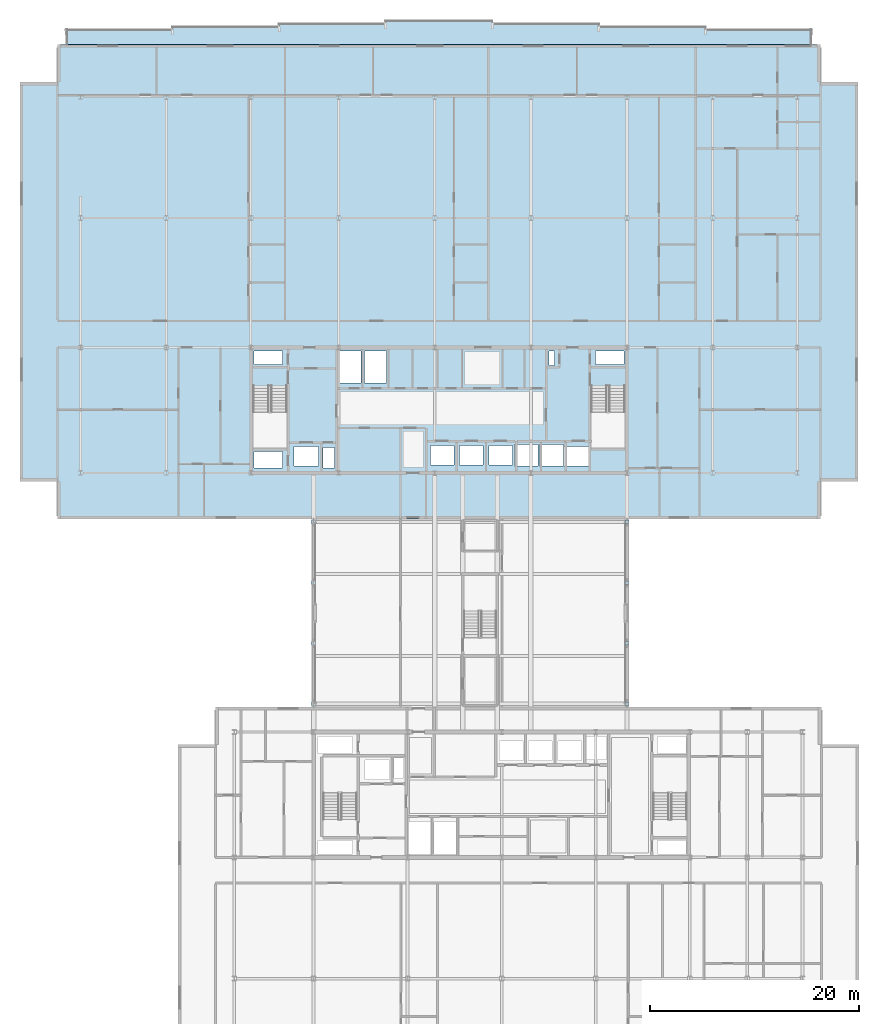
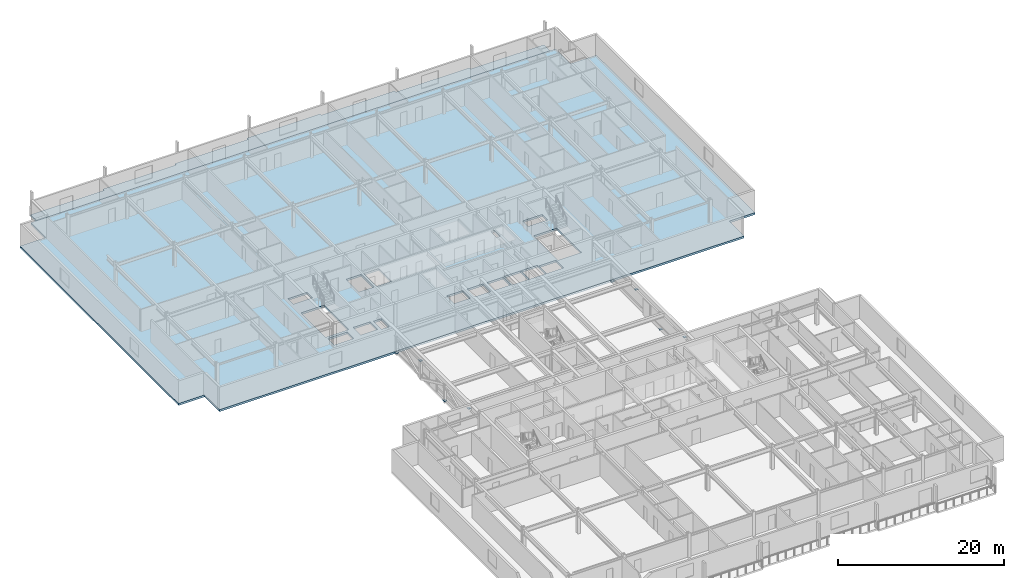
# One storey, part 16 of 35: 8 plates, 2 slabs.
"""IFC4 building model written with IfcOpenShell, lengths in metres."""

from ifc_helpers import new_model, si_unit, direction, frame, origin, origin_2d, place, context, subcontext, project, spatial, polyline, rectangle, outline, extrude, material, layer, layer_set, type_object, element, save


model = new_model("IFC4")

# Units and contexts
model_context = context("Model", 3, precision=1e-05, world=origin(), true_north=direction((0.0, 1.0)))
body_context = subcontext(model_context, "Body", "Model", "MODEL_VIEW")
ifc_project = project(units=[si_unit("LENGTHUNIT", "METRE"), si_unit("AREAUNIT", "SQUARE_METRE"), si_unit("VOLUMEUNIT", "CUBIC_METRE"), si_unit("PLANEANGLEUNIT", "RADIAN"), si_unit("MASSUNIT", "GRAM", prefix="KILO")], contexts=[model_context])

# Site, building, storey
site_placement = place(None, origin())
site = spatial("IfcSite", under=ifc_project, at=site_placement, CompositionType="ELEMENT")
building_placement = place(site_placement, origin())
building = spatial("IfcBuilding", under=site, at=building_placement, Name="Korimba Cascade Residences", CompositionType="ELEMENT")
storey_placement = place(building_placement, frame((0.0, 0.0, 150.10009765625)))
storey = spatial("IfcBuildingStorey", under=building, at=storey_placement, Name="L43", CompositionType="ELEMENT", Elevation=150.10009765625)

# Plates
ifc_material_1 = material(Name="Steel S460", Category="steel")
ifc_layer_1 = layer(ifc_material_1, 0.028076171875)
ifc_layer_set_1 = layer_set([ifc_layer_1], Name="Steel S460")
plate_type = type_object("IfcPlateType", Name="PLT-ENDCAP-28", PredefinedType="USERDEFINED", material=ifc_layer_set_1)
for number, where, z_axis, x_axis, name in (
    (1, (82.10009765625, 33.10009765625, 2.375), (0.0, 0.0, 1.0), (1.0, 0.0, 0.0), "L43 Brace Welded End Connection Plate 82"),
    (2, (82.10009765625, 38.89990234375, 0.005859375), (0.0, 0.0, 1.0), (1.0, 0.0, 0.0), "L43 Brace Welded End Connection Plate 83"),
    (3, (82.10009765625, 44.699951171875, 2.375), (0.0, 0.0, 1.0), (1.0, 0.0, 0.0), "L43 Brace Welded End Connection Plate 84"),
    (4, (82.10009765625, 50.5, 0.005859375), (0.0, 0.0, 1.0), (1.0, 0.0, 0.0), "L43 Brace Welded End Connection Plate 85"),
    (5, (112.10009765625, 33.10009765625, 2.375), (0.0, 0.0, 1.0), (1.0, 0.0, 0.0), "L43 Brace Welded End Connection Plate 86"),
    (6, (112.10009765625, 38.89990234375, 0.005859375), (0.0, 0.0, 1.0), (1.0, 0.0, 0.0), "L43 Brace Welded End Connection Plate 87"),
    (7, (112.10009765625, 44.699951171875, 2.375), (0.0, 0.0, 1.0), (1.0, 0.0, 0.0), "L43 Brace Welded End Connection Plate 88"),
    (8, (112.10009765625, 50.5, 0.005859375), (0.0, 0.0, 1.0), (1.0, 0.0, 0.0), "L43 Brace Welded End Connection Plate 89"),
):
    element("IfcPlate", number, at=place(storey_placement, frame(where, z_axis=z_axis, x_axis=x_axis)), inside=storey, type_object=plate_type, Name=name, ObjectType="CAP PLATE", PredefinedType="USERDEFINED", context=body_context, shape_type="SweptSolid", body=[
        extrude(rectangle(XDim=0.360107421875, YDim=0.360107421875, at=origin_2d()), origin(), (0.0, 0.0, 1.0), 0.028076171875),
    ])

# Slabs
ifc_material_2 = material(Name="Precast concrete C40/50", Category="concrete")
ifc_layer_2 = layer(ifc_material_2, 0.239990234375)
ifc_layer_set_2 = layer_set([ifc_layer_2], Name="Precast concrete C40/50")
slab_type_1 = type_object("IfcSlabType", Name="SLB-LOG-240", PredefinedType="FLOOR", material=ifc_layer_set_2)
slab_1_placement = place(storey_placement, frame((0.0, 0.0, -0.239990234375)))
element("IfcSlab", 9, at=slab_1_placement, inside=storey, type_object=slab_type_1, Name="L43 Tower 1 North Loggia Slab", PredefinedType="FLOOR", context=body_context, shape_type="SweptSolid", body=[
    extrude(outline(polyline([(58.39990234375, 96.199951171875), (129.800048828125, 96.199951171875), (129.800048828125, 97.64990234375), (119.60009765625, 97.64990234375), (119.60009765625, 97.949951171875), (109.39990234375, 97.949951171875), (109.39990234375, 98.25), (99.199951171875, 98.25), (99.199951171875, 98.550048828125), (89.0, 98.550048828125), (89.0, 98.25), (78.800048828125, 98.25), (78.800048828125, 97.949951171875), (68.60009765625, 97.949951171875), (68.60009765625, 97.64990234375), (58.39990234375, 97.64990234375), (58.39990234375, 96.199951171875)])), origin(), (0.0, 0.0, 1.0), 0.239990234375),
])
ifc_material_3 = material(Name="Concrete C50/60", Category="concrete")
ifc_layer_3 = layer(ifc_material_3, 0.280029296875)
ifc_layer_set_3 = layer_set([ifc_layer_3], Name="Concrete C50/60")
slab_type_2 = type_object("IfcSlabType", Name="SLB-TYP-280", PredefinedType="FLOOR", material=ifc_layer_set_3)
slab_2_placement = place(storey_placement, frame((0.0, 0.0, -0.2900390625)))
element("IfcSlab", 10, at=slab_2_placement, inside=storey, type_object=slab_type_2, Name="L43 Tower 1 Floor Slab", PredefinedType="FLOOR", context=body_context, shape_type="SweptSolid", body=[
    extrude(outline(polyline([(57.60009765625, 50.800048828125), (130.60009765625, 50.800048828125), (130.60009765625, 54.39990234375), (134.199951171875, 54.39990234375), (134.199951171875, 92.60009765625), (130.60009765625, 92.60009765625), (130.60009765625, 96.199951171875), (57.60009765625, 96.199951171875), (57.60009765625, 92.60009765625), (54.0, 92.60009765625), (54.0, 54.39990234375), (57.60009765625, 54.39990234375), (57.60009765625, 50.800048828125)]), holes=[polyline([(76.300048828125, 63.514892578125), (76.300048828125, 57.60009765625), (79.5400390625, 57.60009765625), (79.5400390625, 63.514892578125), (76.300048828125, 63.514892578125)]), polyline([(108.659912109375, 63.514892578125), (108.659912109375, 57.60009765625), (111.89990234375, 57.60009765625), (111.89990234375, 63.514892578125), (108.659912109375, 63.514892578125)]), polyline([(80.22998046875, 55.8798828125), (82.570068359375, 55.8798828125), (82.570068359375, 57.719970703125), (80.22998046875, 57.719970703125), (80.22998046875, 55.8798828125)]), polyline([(106.080078125, 55.8798828125), (108.419921875, 55.8798828125), (108.419921875, 57.719970703125), (106.080078125, 57.719970703125), (106.080078125, 55.8798828125)]), polyline([(93.280029296875, 55.97998046875), (95.52001953125, 55.97998046875), (95.52001953125, 57.820068359375), (93.280029296875, 57.820068359375), (93.280029296875, 55.97998046875)]), polyline([(96.080078125, 55.97998046875), (98.320068359375, 55.97998046875), (98.320068359375, 57.820068359375), (96.080078125, 57.820068359375), (96.080078125, 55.97998046875)]), polyline([(98.8798828125, 55.97998046875), (101.1201171875, 55.97998046875), (101.1201171875, 57.820068359375), (98.8798828125, 57.820068359375), (98.8798828125, 55.97998046875)]), polyline([(101.304931640625, 55.8798828125), (103.594970703125, 55.8798828125), (103.594970703125, 57.919921875), (101.304931640625, 57.919921875), (101.304931640625, 55.8798828125)]), polyline([(103.705078125, 55.8798828125), (105.9951171875, 55.8798828125), (105.9951171875, 57.919921875), (103.705078125, 57.919921875), (103.705078125, 55.8798828125)]), polyline([(82.97998046875, 55.679931640625), (84.080078125, 55.679931640625), (84.080078125, 57.6201171875), (82.97998046875, 57.6201171875), (82.97998046875, 55.679931640625)]), polyline([(76.39990234375, 65.56005859375), (79.10009765625, 65.56005859375), (79.10009765625, 66.8798828125), (76.39990234375, 66.8798828125), (76.39990234375, 65.56005859375)]), polyline([(76.39990234375, 55.679931640625), (79.10009765625, 55.679931640625), (79.10009765625, 57.239990234375), (76.39990234375, 57.239990234375), (76.39990234375, 55.679931640625)]), polyline([(84.530029296875, 63.820068359375), (86.6201171875, 63.820068359375), (86.6201171875, 66.8798828125), (84.530029296875, 66.8798828125), (84.530029296875, 63.820068359375)]), polyline([(86.97998046875, 63.820068359375), (89.070068359375, 63.820068359375), (89.070068359375, 66.8798828125), (86.97998046875, 66.8798828125), (86.97998046875, 63.820068359375)]), polyline([(104.6201171875, 65.4599609375), (105.179931640625, 65.4599609375), (105.179931640625, 66.8798828125), (104.6201171875, 66.8798828125), (104.6201171875, 65.4599609375)]), polyline([(109.080078125, 65.56005859375), (111.800048828125, 65.56005859375), (111.800048828125, 66.8798828125), (109.080078125, 66.8798828125), (109.080078125, 65.56005859375)])]), origin(), (0.0, 0.0, 1.0), 0.2900390625),
])

save(model, "model.ifc")
